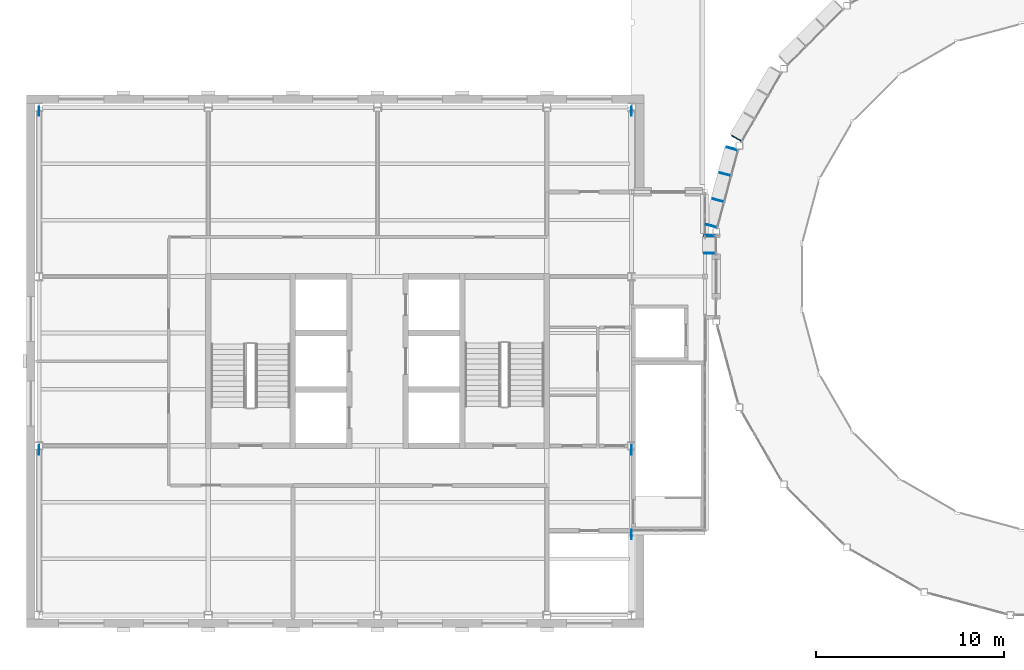
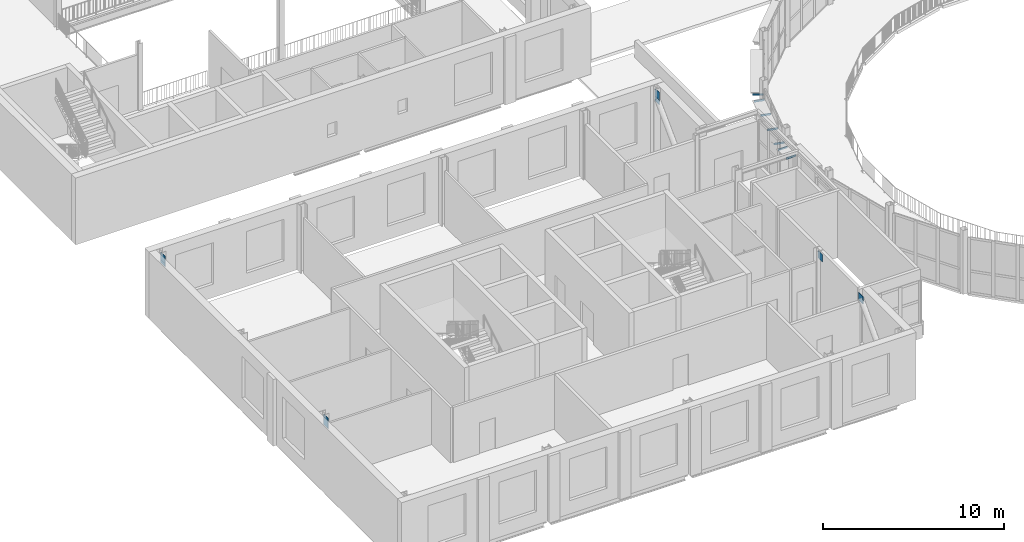
# One storey, part 49 of 74: 15 discrete accessories.
"""IFC4 building model written with IfcOpenShell, lengths in metres."""

from ifc_helpers import new_model, si_unit, direction, frame, origin, origin_2d, place, context, subcontext, project, spatial, rectangle, extrude, material, layer, layer_set, type_object, element, save


model = new_model("IFC4")

# Units and contexts
model_context = context("Model", 3, precision=1e-05, world=origin(), true_north=direction((0.0, 1.0)))
body_context = subcontext(model_context, "Body", "Model", "MODEL_VIEW")
ifc_project = project(units=[si_unit("LENGTHUNIT", "METRE"), si_unit("AREAUNIT", "SQUARE_METRE"), si_unit("VOLUMEUNIT", "CUBIC_METRE"), si_unit("PLANEANGLEUNIT", "RADIAN"), si_unit("MASSUNIT", "GRAM", prefix="KILO")], contexts=[model_context])

# Site, building, storey
site_placement = place(None, origin())
site = spatial("IfcSite", under=ifc_project, at=site_placement, CompositionType="ELEMENT")
building_placement = place(site_placement, origin())
building = spatial("IfcBuilding", under=site, at=building_placement, Name="Hortulan Conservatory and Botanical Research Centre", CompositionType="ELEMENT")
storey_placement = place(building_placement, frame((0.0, 0.0, 6.0)))
storey = spatial("IfcBuildingStorey", under=building, at=storey_placement, Name="L01", CompositionType="ELEMENT", Elevation=6.0)

# Discrete accessories
ifc_material_1 = material(Name="Bronze-charcoal painted wrought iron", Category="metal")
ifc_layer = layer(ifc_material_1, 0.050048828125)
ifc_layer_set = layer_set([ifc_layer], Name="Blade Hanger Bracket 50x600x120")
discrete_accessory_type_1 = type_object("IfcDiscreteAccessoryType", Name="Blade Hanger Bracket 50x600x120", PredefinedType="BRACKET", material=ifc_layer_set)
for number, where, z_axis, x_axis, name in (
    (1, (37.07568359375, 25.34619140625, 2.97998046875), (0.0, 0.0, 1.0), (0.499981861897, 0.86603587557, 0.0), "Blade hanger bracket"),
    (2, (35.744384765625, 20.69140625, 2.97998046875), (0.0, 0.0, 1.0), (0.258832531946, 0.965922212399, 0.0), "Blade hanger bracket"),
    (3, (36.108642578125, 22.05029296875, 2.97998046875), (0.0, 0.0, 1.0), (0.258832531946, 0.965922212399, 0.0), "Blade hanger bracket"),
    (4, (36.480712890625, 23.4384765625, 2.97998046875), (0.0, 0.0, 1.0), (0.258832531946, 0.965922212399, 0.0), "Blade hanger bracket"),
    (5, (36.8447265625, 24.79736328125, 2.97998046875), (0.0, 0.0, 1.0), (0.258832531946, 0.965922212399, 0.0), "Blade hanger bracket"),
    (6, (35.669921875, 19.22998046875, 2.97998046875), (0.0, 0.0, 1.0), (0.0, 1.0, 0.0), "Blade hanger bracket"),
    (7, (35.669921875, 20.1650390625, 2.97998046875), (0.0, 0.0, 1.0), (0.0, 1.0, 0.0), "Blade hanger bracket"),
):
    element("IfcDiscreteAccessory", number, at=place(storey_placement, frame(where, z_axis=z_axis, x_axis=x_axis)), inside=storey, type_object=discrete_accessory_type_1, Name=name, PredefinedType="BRACKET", context=body_context, shape_type="SweptSolid", body=[
        extrude(rectangle(XDim=0.050048828125, YDim=0.60009765625, at=origin_2d()), origin(), (0.0, 0.0, 1.0), 0.1201171875),
    ])
ifc_material_2 = material(Name="Steel Grade 300 plate (AS/NZS 3678, 280 MPa minimum yield)", Category="steel")
discrete_accessory_type_2 = type_object("IfcDiscreteAccessoryType", Name="End Plate 500x20", PredefinedType="BRACKET", material=ifc_material_2)
for number, where, z_axis, x_axis, name in (
    (8, (0.0, 8.7890625, 3.6708984375), (0.0, 0.0, 1.0), (0.0, -1.0, 0.0), "Brace end plate"),
    (9, (0.0, 8.7890625, 3.884765625), (0.0, 0.0, 1.0), (0.0, -1.0, 0.0), "Brace end plate"),
    (10, (0.0, 26.7890625, 3.6708984375), (0.0, 0.0, 1.0), (0.0, -1.0, 0.0), "Brace end plate"),
    (11, (0.0, 26.7890625, 3.884765625), (0.0, 0.0, 1.0), (0.0, -1.0, 0.0), "Brace end plate"),
    (12, (31.5, 4.300048828125, 3.776611328125), (0.0, 0.0, 1.0), (0.0, -1.0, 0.0), "Brace end plate"),
    (13, (31.5, 8.7890625, 3.884765625), (0.0, 0.0, 1.0), (0.0, -1.0, 0.0), "Brace end plate"),
    (14, (31.5, 26.7890625, 3.5654296875), (0.0, 0.0, 1.0), (0.0, -1.0, 0.0), "Brace end plate"),
    (15, (31.5, 26.7890625, 3.884765625), (0.0, 0.0, 1.0), (0.0, -1.0, 0.0), "Brace end plate"),
):
    element("IfcDiscreteAccessory", number, at=place(storey_placement, frame(where, z_axis=z_axis, x_axis=x_axis)), inside=storey, type_object=discrete_accessory_type_2, Name=name, PredefinedType="BRACKET", context=body_context, shape_type="SweptSolid", body=[
        extrude(rectangle(XDim=0.5, YDim=0.02001953125, at=origin_2d()), origin(), (0.0, 0.0, 1.0), 0.5),
    ])

save(model, "model.ifc")
